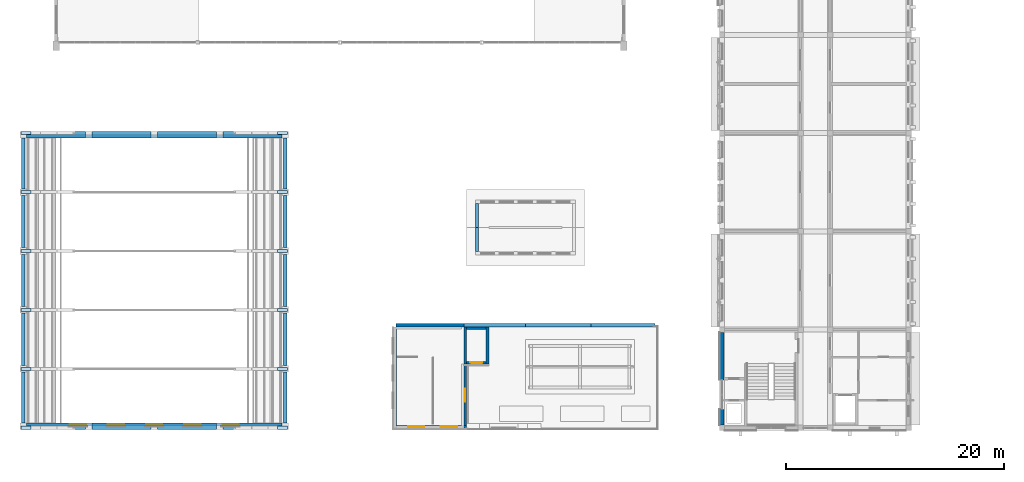
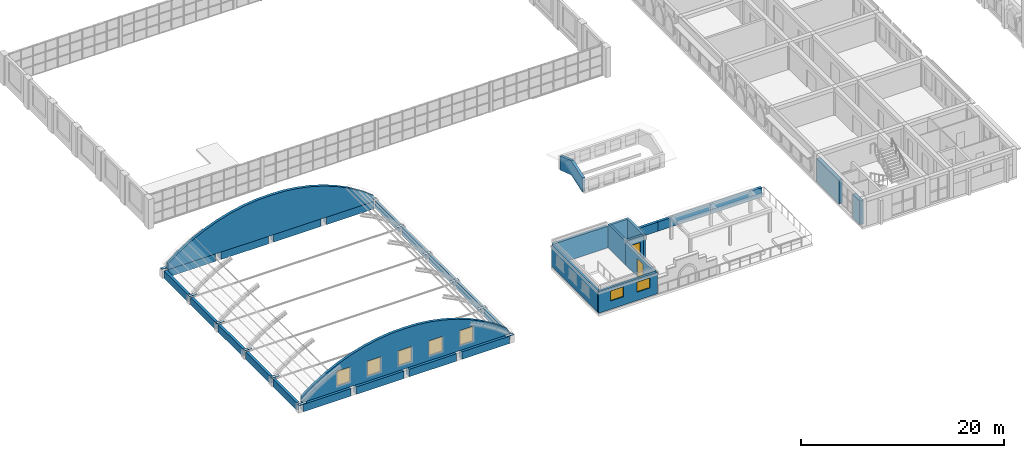
# One storey, part 33 of 70: 34 walls, 12 plates, 7 windows, 2 doors, 9 openings.
"""IFC4 building model written with IfcOpenShell, lengths in metres."""

from ifc_helpers import new_model, si_unit, direction, frame, frame_2d, origin, origin_2d, place, context, subcontext, project, spatial, polyline, rectangle, outline, extrude, material, layer, layer_set, material_profile, profile_set, type_object, element, fill, save


model = new_model("IFC4")

# Units and contexts
model_context = context("Model", 3, precision=1e-05, world=origin(), true_north=direction((0.0, 1.0)))
body_context = subcontext(model_context, "Body", "Model", "MODEL_VIEW")
ifc_project = project(units=[si_unit("LENGTHUNIT", "METRE"), si_unit("AREAUNIT", "SQUARE_METRE"), si_unit("VOLUMEUNIT", "CUBIC_METRE"), si_unit("PLANEANGLEUNIT", "RADIAN"), si_unit("MASSUNIT", "GRAM", prefix="KILO")], contexts=[model_context])

# Site, building, storey
site_placement = place(None, origin())
site = spatial("IfcSite", under=ifc_project, at=site_placement, CompositionType="ELEMENT")
building_placement = place(site_placement, origin())
building = spatial("IfcBuilding", under=site, at=building_placement, Name="Elbe Cascade School", CompositionType="ELEMENT")
storey_placement = place(building_placement, frame((0.0, 0.0, 8.10009765625)))
storey = spatial("IfcBuildingStorey", under=building, at=storey_placement, Name="L02", CompositionType="ELEMENT", Elevation=8.10009765625)

# Plates
ifc_material_1 = material(Name="Steel S355J2", Category="steel")
ifc_layer_1 = layer(ifc_material_1, 0.0400390625)
ifc_layer_set_1 = layer_set([ifc_layer_1], Name="Steel S355J2")
plate_type = type_object("IfcPlateType", Name="Assembly hall bearing plate 900x300x40", PredefinedType="USERDEFINED", material=ifc_layer_set_1)
for number, where, z_axis, x_axis, name in (
    (1, (5.25, 6.0, 0.89990234375), (0.0, 0.0, 1.0), (1.0, 0.0, 0.0), "Assembly hall bearing plate 900x300x40 PT2"),
    (2, (28.75, 6.0, 0.89990234375), (0.0, 0.0, 1.0), (1.0, 0.0, 0.0), "Assembly hall bearing plate 900x300x40 PT2"),
    (3, (5.25, 11.39990234375, 0.89990234375), (0.0, 0.0, 1.0), (1.0, 0.0, 0.0), "Assembly hall bearing plate 900x300x40 PT2"),
    (4, (28.75, 11.39990234375, 0.89990234375), (0.0, 0.0, 1.0), (1.0, 0.0, 0.0), "Assembly hall bearing plate 900x300x40 PT2"),
    (5, (5.25, 16.800048828125, 0.89990234375), (0.0, 0.0, 1.0), (1.0, 0.0, 0.0), "Assembly hall bearing plate 900x300x40 PT2"),
    (6, (28.75, 16.800048828125, 0.89990234375), (0.0, 0.0, 1.0), (1.0, 0.0, 0.0), "Assembly hall bearing plate 900x300x40 PT2"),
    (7, (5.25, 22.199951171875, 0.89990234375), (0.0, 0.0, 1.0), (1.0, 0.0, 0.0), "Assembly hall bearing plate 900x300x40 PT2"),
    (8, (28.75, 22.199951171875, 0.89990234375), (0.0, 0.0, 1.0), (1.0, 0.0, 0.0), "Assembly hall bearing plate 900x300x40 PT2"),
    (9, (5.25, 27.60009765625, 0.89990234375), (0.0, 0.0, 1.0), (1.0, 0.0, 0.0), "Assembly hall bearing plate 900x300x40 PT2"),
    (10, (28.75, 27.60009765625, 0.89990234375), (0.0, 0.0, 1.0), (1.0, 0.0, 0.0), "Assembly hall bearing plate 900x300x40 PT2"),
    (11, (5.25, 33.0, 0.89990234375), (0.0, 0.0, 1.0), (1.0, 0.0, 0.0), "Assembly hall bearing plate 900x300x40 PT2"),
    (12, (28.75, 33.0, 0.89990234375), (0.0, 0.0, 1.0), (1.0, 0.0, 0.0), "Assembly hall bearing plate 900x300x40 PT2"),
):
    element("IfcPlate", number, at=place(storey_placement, frame(where, z_axis=z_axis, x_axis=x_axis)), inside=storey, type_object=plate_type, Name=name, ObjectType="BEARING PLATE", PredefinedType="USERDEFINED", context=body_context, shape_type="SweptSolid", body=[
        extrude(rectangle(XDim=0.89990234375, YDim=0.300048828125, at=origin_2d()), origin(), (0.0, 0.0, 1.0), 0.0400390625),
    ])

# Walls
ifc_material_2 = material(Name="Concrete C30/37", Category="concrete")
ifc_layer_2 = layer(ifc_material_2, 0.300048828125)
ifc_layer_set_2 = layer_set([ifc_layer_2], Name="Concrete C30/37")
wall_type_1 = type_object("IfcWallType", Name="Assembly hall RC wall 300", PredefinedType="SOLIDWALL", material=ifc_layer_set_2)
wall_1_placement = place(storey_placement, frame((5.0, 6.449951171875, 0.0), z_axis=(0.0, 0.0, 1.0), x_axis=(0.0, 1.0, 0.0)))
element("IfcWall", 13, at=wall_1_placement, inside=storey, type_object=wall_type_1, Name="Assembly hall RC wall 300 W5", PredefinedType="SOLIDWALL", context=body_context, shape_type="SweptSolid", body=[
    extrude(rectangle(XDim=4.650146484375, YDim=0.300048828125, at=frame_2d((2.3251953125, 0.0))), origin(), (0.0, 0.0, 1.0), 0.89990234375),
])
wall_2_placement = place(storey_placement, frame((5.0, 11.699951171875, 0.0), z_axis=(0.0, 0.0, 1.0), x_axis=(0.0, 1.0, 0.0)))
element("IfcWall", 14, at=wall_2_placement, inside=storey, type_object=wall_type_1, Name="Assembly hall RC wall 300 W5", PredefinedType="SOLIDWALL", context=body_context, shape_type="SweptSolid", body=[
    extrude(rectangle(XDim=4.800048828125, YDim=0.300048828125, at=frame_2d((2.39990234375, 0.0))), origin(), (0.0, 0.0, 1.0), 0.89990234375),
])
wall_3_placement = place(storey_placement, frame((5.0, 17.10009765625, 0.0), z_axis=(0.0, 0.0, 1.0), x_axis=(0.0, 1.0, 0.0)))
element("IfcWall", 15, at=wall_3_placement, inside=storey, type_object=wall_type_1, Name="Assembly hall RC wall 300 W5", PredefinedType="SOLIDWALL", context=body_context, shape_type="SweptSolid", body=[
    extrude(rectangle(XDim=4.7998046875, YDim=0.300048828125, at=frame_2d((2.39990234375, 0.0))), origin(), (0.0, 0.0, 1.0), 0.89990234375),
])
wall_4_placement = place(storey_placement, frame((5.0, 22.5, 0.0), z_axis=(0.0, 0.0, 1.0), x_axis=(0.0, 1.0, 0.0)))
element("IfcWall", 16, at=wall_4_placement, inside=storey, type_object=wall_type_1, Name="Assembly hall RC wall 300 W5", PredefinedType="SOLIDWALL", context=body_context, shape_type="SweptSolid", body=[
    extrude(rectangle(XDim=4.800048828125, YDim=0.300048828125, at=frame_2d((2.39990234375, 0.0))), origin(), (0.0, 0.0, 1.0), 0.89990234375),
])
for number, where, z_axis, x_axis, name in (
    (17, (5.0, 27.89990234375, 0.0), (0.0, 0.0, 1.0), (0.0, 1.0, 0.0), "Assembly hall RC wall 300 W5"),
    (18, (29.0, 11.10009765625, 0.0), (0.0, 0.0, 1.0), (0.0, -1.0, 0.0), "Assembly hall RC wall 300 W5"),
):
    element("IfcWall", number, at=place(storey_placement, frame(where, z_axis=z_axis, x_axis=x_axis)), inside=storey, type_object=wall_type_1, Name=name, PredefinedType="SOLIDWALL", context=body_context, shape_type="SweptSolid", body=[
        extrude(rectangle(XDim=4.650146484375, YDim=0.300048828125, at=frame_2d((2.3251953125, 0.0))), origin(), (0.0, 0.0, 1.0), 0.89990234375),
    ])
wall_5_placement = place(storey_placement, frame((29.0, 16.5, 0.0), z_axis=(0.0, 0.0, 1.0), x_axis=(0.0, -1.0, 0.0)))
element("IfcWall", 19, at=wall_5_placement, inside=storey, type_object=wall_type_1, Name="Assembly hall RC wall 300 W5", PredefinedType="SOLIDWALL", context=body_context, shape_type="SweptSolid", body=[
    extrude(rectangle(XDim=4.800048828125, YDim=0.300048828125, at=frame_2d((2.39990234375, 0.0))), origin(), (0.0, 0.0, 1.0), 0.89990234375),
])
wall_6_placement = place(storey_placement, frame((29.0, 21.89990234375, 0.0), z_axis=(0.0, 0.0, 1.0), x_axis=(0.0, -1.0, 0.0)))
element("IfcWall", 20, at=wall_6_placement, inside=storey, type_object=wall_type_1, Name="Assembly hall RC wall 300 W5", PredefinedType="SOLIDWALL", context=body_context, shape_type="SweptSolid", body=[
    extrude(rectangle(XDim=4.7998046875, YDim=0.300048828125, at=frame_2d((2.39990234375, 0.0))), origin(), (0.0, 0.0, 1.0), 0.89990234375),
])
wall_7_placement = place(storey_placement, frame((29.0, 27.300048828125, 0.0), z_axis=(0.0, 0.0, 1.0), x_axis=(0.0, -1.0, 0.0)))
element("IfcWall", 21, at=wall_7_placement, inside=storey, type_object=wall_type_1, Name="Assembly hall RC wall 300 W5", PredefinedType="SOLIDWALL", context=body_context, shape_type="SweptSolid", body=[
    extrude(rectangle(XDim=4.800048828125, YDim=0.300048828125, at=frame_2d((2.39990234375, 0.0))), origin(), (0.0, 0.0, 1.0), 0.89990234375),
])
wall_8_placement = place(storey_placement, frame((29.0, 32.550048828125, 0.0), z_axis=(0.0, 0.0, 1.0), x_axis=(0.0, -1.0, 0.0)))
element("IfcWall", 22, at=wall_8_placement, inside=storey, type_object=wall_type_1, Name="Assembly hall RC wall 300 W5", PredefinedType="SOLIDWALL", context=body_context, shape_type="SweptSolid", body=[
    extrude(rectangle(XDim=4.650146484375, YDim=0.300048828125, at=frame_2d((2.3251953125, 0.0))), origin(), (0.0, 0.0, 1.0), 0.89990234375),
])

# Wall, openings, windows
ifc_material_3 = material(Name="Brick masonry - red clinker", Category="masonry")
ifc_layer_3 = layer(ifc_material_3, 0.300048828125)
ifc_layer_set_3 = layer_set([ifc_layer_3], Name="Brick masonry - red clinker")
wall_type_2 = type_object("IfcWallType", Name="Assembly hall brick tympanum 300", PredefinedType="SOLIDWALL", material=ifc_layer_set_3)
wall_9_placement = place(storey_placement, frame((28.699951171875, 6.300048828125, 0.89990234375), z_axis=(0.0, 0.0, 1.0), x_axis=(-1.0, 0.0, 0.0)))
wall_9 = element("IfcWall", 23, at=wall_9_placement, inside=storey, type_object=wall_type_2, Name="Assembly hall brick tympanum 300 W7", PredefinedType="SOLIDWALL", context=body_context, shape_type="SweptSolid", body=[
    extrude(outline(polyline([(0.0, 0.0), (23.39990234375, 0.0), (23.39990234375, 0.6904296875), (22.195068359375, 1.606689453125), (20.695556640625, 2.530517578125), (19.1962890625, 3.272705078125), (17.697021484375, 3.85693359375), (16.19775390625, 4.29833984375), (14.698486328125, 4.60693359375), (13.1962890625, 4.7900390625), (11.699951171875, 4.8251953125), (10.20361328125, 4.7900390625), (8.701416015625, 4.60693359375), (7.202392578125, 4.29833984375), (5.702880859375, 3.85693359375), (4.20361328125, 3.272705078125), (2.704345703125, 2.530517578125), (1.205078125, 1.606689453125), (0.0, 0.6904296875), (0.0, 0.0)])), frame((0.0, 0.14990234375, 0.0), z_axis=(0.0, -1.0, 0.0), x_axis=(1.0, 0.0, 0.0)), (0.0, 0.0, 1.0), 0.300048828125),
])
opening_1_placement = place(wall_9_placement, frame((17.949951171875, 0.0, 0.60009765625)))
opening_1 = element("IfcOpeningElement", 24, at=opening_1_placement, cuts=wall_9, Name="Opening W2.135", PredefinedType="OPENING", context=body_context, shape_type="SweptSolid", body=[
    extrude(rectangle(XDim=1.5, YDim=1.800048828125, at=frame_2d((0.75, 0.89990234375))), frame((0.0, 0.159912109375, 0.0), z_axis=(0.0, -1.0, 0.0), x_axis=(1.0, 0.0, 0.0)), (0.0, 0.0, 1.0), 0.320068359375),
])
opening_2_placement = place(wall_9_placement, frame((14.449951171875, 0.0, 0.60009765625)))
opening_2 = element("IfcOpeningElement", 25, at=opening_2_placement, cuts=wall_9, Name="Opening W2.136", PredefinedType="OPENING", context=body_context, shape_type="SweptSolid", body=[
    extrude(rectangle(XDim=1.5, YDim=1.800048828125, at=frame_2d((0.75, 0.89990234375))), frame((0.0, 0.159912109375, 0.0), z_axis=(0.0, -1.0, 0.0), x_axis=(1.0, 0.0, 0.0)), (0.0, 0.0, 1.0), 0.320068359375),
])
opening_3_placement = place(wall_9_placement, frame((10.949951171875, 0.0, 0.60009765625)))
opening_3 = element("IfcOpeningElement", 26, at=opening_3_placement, cuts=wall_9, Name="Opening W2.137", PredefinedType="OPENING", context=body_context, shape_type="SweptSolid", body=[
    extrude(rectangle(XDim=1.5, YDim=1.800048828125, at=frame_2d((0.75, 0.89990234375))), frame((0.0, 0.159912109375, 0.0), z_axis=(0.0, -1.0, 0.0), x_axis=(1.0, 0.0, 0.0)), (0.0, 0.0, 1.0), 0.320068359375),
])
opening_4_placement = place(wall_9_placement, frame((7.449951171875, 0.0, 0.60009765625)))
opening_4 = element("IfcOpeningElement", 27, at=opening_4_placement, cuts=wall_9, Name="Opening W2.138", PredefinedType="OPENING", context=body_context, shape_type="SweptSolid", body=[
    extrude(rectangle(XDim=1.5, YDim=1.800048828125, at=frame_2d((0.75, 0.89990234375))), frame((0.0, 0.159912109375, 0.0), z_axis=(0.0, -1.0, 0.0), x_axis=(1.0, 0.0, 0.0)), (0.0, 0.0, 1.0), 0.320068359375),
])
opening_5_placement = place(wall_9_placement, frame((3.949951171875, 0.0, 0.60009765625)))
opening_5 = element("IfcOpeningElement", 28, at=opening_5_placement, cuts=wall_9, Name="Opening W2.139", PredefinedType="OPENING", context=body_context, shape_type="SweptSolid", body=[
    extrude(rectangle(XDim=1.5, YDim=1.800048828125, at=frame_2d((0.75, 0.89990234375))), frame((0.0, 0.159912109375, 0.0), z_axis=(0.0, -1.0, 0.0), x_axis=(1.0, 0.0, 0.0)), (0.0, 0.0, 1.0), 0.320068359375),
])
ifc_material_4 = material(Name="Aluminium - bronze anodised", Category="aluminium")
window_type_1 = type_object("IfcWindowType", Name="Assembly hall gable window 1500x1800 sill 600", PartitioningType="SINGLE_PANEL", PredefinedType="WINDOW", material=ifc_material_4)
window_1_placement = place(opening_1_placement, origin())
window_1 = element("IfcWindow", 29, at=window_1_placement, inside=storey, type_object=window_type_1, Name="Assembly hall gable window 1500x1800 sill 600 W2.135", OverallHeight=1.800048828125, OverallWidth=1.5, PartitioningType="SINGLE_PANEL", PredefinedType="WINDOW", context=body_context, shape_type="SweptSolid", body=[
    extrude(rectangle(XDim=1.5, YDim=1.800048828125, at=frame_2d((0.75, 0.89990234375))), frame((0.0, 0.030029296875, 0.0), z_axis=(0.0, -1.0, 0.0), x_axis=(1.0, 0.0, 0.0)), (0.0, 0.0, 1.0), 0.06005859375),
])
fill(opening_1, window_1)
window_2_placement = place(opening_2_placement, origin())
window_2 = element("IfcWindow", 30, at=window_2_placement, inside=storey, type_object=window_type_1, Name="Assembly hall gable window 1500x1800 sill 600 W2.136", OverallHeight=1.800048828125, OverallWidth=1.5, PartitioningType="SINGLE_PANEL", PredefinedType="WINDOW", context=body_context, shape_type="SweptSolid", body=[
    extrude(rectangle(XDim=1.5, YDim=1.800048828125, at=frame_2d((0.75, 0.89990234375))), frame((0.0, 0.030029296875, 0.0), z_axis=(0.0, -1.0, 0.0), x_axis=(1.0, 0.0, 0.0)), (0.0, 0.0, 1.0), 0.06005859375),
])
fill(opening_2, window_2)
window_3_placement = place(opening_3_placement, origin())
window_3 = element("IfcWindow", 31, at=window_3_placement, inside=storey, type_object=window_type_1, Name="Assembly hall gable window 1500x1800 sill 600 W2.137", OverallHeight=1.800048828125, OverallWidth=1.5, PartitioningType="SINGLE_PANEL", PredefinedType="WINDOW", context=body_context, shape_type="SweptSolid", body=[
    extrude(rectangle(XDim=1.5, YDim=1.800048828125, at=frame_2d((0.75, 0.89990234375))), frame((0.0, 0.030029296875, 0.0), z_axis=(0.0, -1.0, 0.0), x_axis=(1.0, 0.0, 0.0)), (0.0, 0.0, 1.0), 0.06005859375),
])
fill(opening_3, window_3)
window_4_placement = place(opening_4_placement, origin())
window_4 = element("IfcWindow", 32, at=window_4_placement, inside=storey, type_object=window_type_1, Name="Assembly hall gable window 1500x1800 sill 600 W2.138", OverallHeight=1.800048828125, OverallWidth=1.5, PartitioningType="SINGLE_PANEL", PredefinedType="WINDOW", context=body_context, shape_type="SweptSolid", body=[
    extrude(rectangle(XDim=1.5, YDim=1.800048828125, at=frame_2d((0.75, 0.89990234375))), frame((0.0, 0.030029296875, 0.0), z_axis=(0.0, -1.0, 0.0), x_axis=(1.0, 0.0, 0.0)), (0.0, 0.0, 1.0), 0.06005859375),
])
fill(opening_4, window_4)
window_5_placement = place(opening_5_placement, origin())
window_5 = element("IfcWindow", 33, at=window_5_placement, inside=storey, type_object=window_type_1, Name="Assembly hall gable window 1500x1800 sill 600 W2.139", OverallHeight=1.800048828125, OverallWidth=1.5, PartitioningType="SINGLE_PANEL", PredefinedType="WINDOW", context=body_context, shape_type="SweptSolid", body=[
    extrude(rectangle(XDim=1.5, YDim=1.800048828125, at=frame_2d((0.75, 0.89990234375))), frame((0.0, 0.030029296875, 0.0), z_axis=(0.0, -1.0, 0.0), x_axis=(1.0, 0.0, 0.0)), (0.0, 0.0, 1.0), 0.06005859375),
])
fill(opening_5, window_5)

# Walls
wall_10_placement = place(storey_placement, frame((5.300048828125, 32.699951171875, 0.89990234375), z_axis=(0.0, 0.0, 1.0), x_axis=(1.0, 0.0, 0.0)))
element("IfcWall", 34, at=wall_10_placement, inside=storey, type_object=wall_type_2, Name="Assembly hall brick tympanum 300 W7", PredefinedType="SOLIDWALL", context=body_context, shape_type="SweptSolid", body=[
    extrude(outline(polyline([(0.0, 0.0), (23.39990234375, 0.0), (23.39990234375, 0.6904296875), (22.195068359375, 1.606689453125), (20.69580078125, 2.530517578125), (19.1962890625, 3.272705078125), (17.697021484375, 3.85693359375), (16.19775390625, 4.29833984375), (14.698486328125, 4.60693359375), (13.1962890625, 4.7900390625), (11.699951171875, 4.8251953125), (10.20361328125, 4.7900390625), (8.701416015625, 4.60693359375), (7.202392578125, 4.29833984375), (5.702880859375, 3.85693359375), (4.20361328125, 3.272705078125), (2.704345703125, 2.530517578125), (1.205078125, 1.606689453125), (0.0, 0.6904296875), (0.0, 0.0)])), frame((0.0, 0.14990234375, 0.0), z_axis=(0.0, -1.0, 0.0), x_axis=(1.0, 0.0, 0.0)), (0.0, 0.0, 1.0), 0.300048828125),
])
ifc_material_5 = material(Name="Concrete C30/37", Category="concrete")
ifc_layer_4 = layer(ifc_material_5, 0.60009765625)
ifc_layer_set_4 = layer_set([ifc_layer_4], Name="Concrete C30/37")
wall_type_3 = type_object("IfcWallType", Name="Assembly hall gable wall 600", PredefinedType="SOLIDWALL", material=ifc_layer_set_4)
for number, where, z_axis, x_axis, name in (
    (35, (10.699951171875, 6.14990234375, 0.0), (0.0, 0.0, 1.0), (-1.0, 0.0, 0.0), "Assembly hall gable wall 600 W6"),
    (36, (16.699951171875, 6.14990234375, 0.0), (0.0, 0.0, 1.0), (-1.0, 0.0, 0.0), "Assembly hall gable wall 600 W6"),
    (37, (22.699951171875, 6.14990234375, 0.0), (0.0, 0.0, 1.0), (-1.0, 0.0, 0.0), "Assembly hall gable wall 600 W6"),
    (38, (28.699951171875, 6.14990234375, 0.0), (0.0, 0.0, 1.0), (-1.0, 0.0, 0.0), "Assembly hall gable wall 600 W6"),
    (39, (5.300048828125, 32.85009765625, 0.0), (0.0, 0.0, 1.0), (1.0, 0.0, 0.0), "Assembly hall gable wall 600 W6"),
    (40, (11.300048828125, 32.85009765625, 0.0), (0.0, 0.0, 1.0), (1.0, 0.0, 0.0), "Assembly hall gable wall 600 W6"),
    (41, (17.300048828125, 32.85009765625, 0.0), (0.0, 0.0, 1.0), (1.0, 0.0, 0.0), "Assembly hall gable wall 600 W6"),
    (42, (23.300048828125, 32.85009765625, 0.0), (0.0, 0.0, 1.0), (1.0, 0.0, 0.0), "Assembly hall gable wall 600 W6"),
):
    element("IfcWall", number, at=place(storey_placement, frame(where, z_axis=z_axis, x_axis=x_axis)), inside=storey, type_object=wall_type_3, Name=name, PredefinedType="SOLIDWALL", context=body_context, shape_type="SweptSolid", body=[
        extrude(rectangle(XDim=5.39990234375, YDim=0.60009765625, at=frame_2d((2.699951171875, 0.0))), origin(), (0.0, 0.0, 1.0), 0.89990234375),
    ])
ifc_material_6 = material(Name="Brick masonry - red clinker, solid, sandstone-faced", Category="masonry")
ifc_layer_5 = layer(ifc_material_6, 0.39990234375)
ifc_layer_set_5 = layer_set([ifc_layer_5], Name="Brick masonry - red clinker, solid, sandstone-faced")
wall_type_4 = type_object("IfcWallType", Name="Bars envelope External wall - solid masonry core strip, sandstone faced, 400", PredefinedType="STANDARD", material=ifc_layer_set_5)
wall_11_placement = place(storey_placement, frame((68.97998046875, 6.25, 0.0), z_axis=(0.0, 0.0, 1.0), x_axis=(0.0, 1.0, 0.0)))
element("IfcWall", 43, at=wall_11_placement, inside=storey, type_object=wall_type_4, Name="External wall W31 A.L02.w1a", PredefinedType="STANDARD", context=body_context, shape_type="SweptSolid", body=[
    extrude(rectangle(XDim=1.43994140625, YDim=0.39990234375, at=frame_2d((0.719970703125, 0.0))), origin(), (0.0, 0.0, 1.0), 2.849853515625),
])
wall_12_placement = place(storey_placement, frame((68.97998046875, 10.389892578125, 0.0), z_axis=(0.0, 0.0, 1.0), x_axis=(0.0, 1.0, 0.0)))
element("IfcWall", 44, at=wall_12_placement, inside=storey, type_object=wall_type_4, Name="External wall W31 A.L02.w1b", PredefinedType="STANDARD", context=body_context, shape_type="SweptSolid", body=[
    extrude(rectangle(XDim=4.360107421875, YDim=0.39990234375, at=frame_2d((2.18017578125, 0.0))), origin(), (0.0, 0.0, 1.0), 2.849853515625),
])
ifc_material_7 = material(Name="Concrete C30/37", Category="concrete")
ifc_layer_6 = layer(ifc_material_7, 0.25)
ifc_layer_set_6 = layer_set([ifc_layer_6], Name="Concrete C30/37")
wall_type_5 = type_object("IfcWallType", Name="Cafe lift shaft wall 250", PredefinedType="SHEAR", material=ifc_layer_set_6)
for number, where, z_axis, x_axis, name in (
    (45, (45.47509765625, 11.85009765625, 0.0), (0.0, 0.0, 1.0), (0.0, 1.0, 0.0), "Cafe lift shaft wall 250 W13"),
    (46, (47.52490234375, 11.85009765625, 0.0), (0.0, 0.0, 1.0), (0.0, 1.0, 0.0), "Cafe lift shaft wall 250 W13"),
):
    element("IfcWall", number, at=place(storey_placement, frame(where, z_axis=z_axis, x_axis=x_axis)), inside=storey, type_object=wall_type_5, Name=name, PredefinedType="SHEAR", context=body_context, shape_type="SweptSolid", body=[
        extrude(rectangle(XDim=3.39990234375, YDim=0.25, at=frame_2d((1.699951171875, 0.0))), origin(), (0.0, 0.0, 1.0), 2.849853515625),
    ])

# Wall, opening, door
wall_13_placement = place(storey_placement, frame((45.60009765625, 11.97509765625, 0.0), z_axis=(0.0, 0.0, 1.0), x_axis=(1.0, 0.0, 0.0)))
wall_13 = element("IfcWall", 47, at=wall_13_placement, inside=storey, type_object=wall_type_5, Name="Cafe lift shaft wall 250 W13", PredefinedType="SHEAR", context=body_context, shape_type="SweptSolid", body=[
    extrude(rectangle(XDim=1.7998046875, YDim=0.25, at=frame_2d((0.89990234375, 0.0))), origin(), (0.0, 0.0, 1.0), 2.849853515625),
])
opening_6_placement = place(wall_13_placement, frame((0.35009765625, 0.0, 0.0)))
opening_6 = element("IfcOpeningElement", 48, at=opening_6_placement, cuts=wall_13, Name="Opening D2.085", PredefinedType="OPENING", context=body_context, shape_type="SweptSolid", body=[
    extrude(rectangle(XDim=1.10009765625, YDim=2.10009765625, at=frame_2d((0.550048828125, 1.050048828125))), frame((0.0, 0.135009765625, 0.0), z_axis=(0.0, -1.0, 0.0), x_axis=(1.0, 0.0, 0.0)), (0.0, 0.0, 1.0), 0.27001953125),
])
ifc_material_8 = material(Name="Steel - fire door leaf", Category="steel")
door_type_1 = type_object("IfcDoorType", Name="Cafe lift landing door 1100x2100 slide FD60", OperationType="SLIDING_TO_LEFT", PredefinedType="NOTDEFINED", material=ifc_material_8)
door_1_placement = place(opening_6_placement, origin())
door_1 = element("IfcDoor", 49, at=door_1_placement, inside=storey, type_object=door_type_1, Name="Cafe lift landing door 1100x2100 slide FD60 D2.085", OperationType="SLIDING_TO_LEFT", OverallHeight=2.10009765625, OverallWidth=1.10009765625, PredefinedType="NOTDEFINED", context=body_context, shape_type="SweptSolid", body=[
    extrude(rectangle(XDim=1.10009765625, YDim=2.10009765625, at=frame_2d((0.550048828125, 1.050048828125))), frame((0.0, 0.02490234375, 0.0), z_axis=(0.0, -1.0, 0.0), x_axis=(1.0, 0.0, 0.0)), (0.0, 0.0, 1.0), 0.050048828125),
])
fill(opening_6, door_1)

# Walls
wall_14_placement = place(storey_placement, frame((45.60009765625, 15.125, 0.0), z_axis=(0.0, 0.0, 1.0), x_axis=(1.0, 0.0, 0.0)))
element("IfcWall", 50, at=wall_14_placement, inside=storey, type_object=wall_type_5, Name="Cafe lift shaft wall 250 W13", PredefinedType="SHEAR", context=body_context, shape_type="SweptSolid", body=[
    extrude(rectangle(XDim=1.7998046875, YDim=0.25, at=frame_2d((0.89990234375, 0.0))), origin(), (0.0, 0.0, 1.0), 2.849853515625),
])
ifc_material_9 = material(Name="Concrete C30/37", Category="concrete")
ifc_layer_7 = layer(ifc_material_9, 0.300048828125)
ifc_layer_set_7 = layer_set([ifc_layer_7], Name="Concrete C30/37")
wall_type_6 = type_object("IfcWallType", Name="Dining hall RC wall 300 non-load-bearing", PredefinedType="SOLIDWALL", material=ifc_layer_set_7)
wall_15_placement = place(storey_placement, frame((45.35009765625, 15.39990234375, 0.0), z_axis=(0.0, 0.0, 1.0), x_axis=(-1.0, 0.0, 0.0)))
element("IfcWall", 51, at=wall_15_placement, inside=storey, type_object=wall_type_6, Name="Dining hall RC wall 300 non-load-bearing W42", PredefinedType="SOLIDWALL", context=body_context, shape_type="SweptSolid", body=[
    extrude(rectangle(XDim=6.2001953125, YDim=0.300048828125, at=frame_2d((3.10009765625, 0.0))), origin(), (0.0, 0.0, 1.0), 2.599853515625),
])
wall_16_placement = place(storey_placement, frame((51.0, 15.39990234375, 0.0), z_axis=(0.0, 0.0, 1.0), x_axis=(-1.0, 0.0, 0.0)))
element("IfcWall", 52, at=wall_16_placement, inside=storey, type_object=wall_type_6, Name="Dining hall RC wall 300 non-load-bearing W42", PredefinedType="SOLIDWALL", context=body_context, shape_type="SweptSolid", body=[
    extrude(rectangle(XDim=5.64990234375, YDim=0.300048828125, at=frame_2d((2.824951171875, 0.0))), origin(), (0.0, 0.0, 1.0), 1.099853515625),
])
wall_17_placement = place(storey_placement, frame((57.0, 15.39990234375, 0.0), z_axis=(0.0, 0.0, 1.0), x_axis=(-1.0, 0.0, 0.0)))
element("IfcWall", 53, at=wall_17_placement, inside=storey, type_object=wall_type_6, Name="Dining hall RC wall 300 non-load-bearing W42", PredefinedType="SOLIDWALL", context=body_context, shape_type="SweptSolid", body=[
    extrude(rectangle(XDim=6.0, YDim=0.300048828125, at=frame_2d((3.0, 0.0))), origin(), (0.0, 0.0, 1.0), 1.099853515625),
])
wall_18_placement = place(storey_placement, frame((62.85009765625, 15.39990234375, 0.0), z_axis=(0.0, 0.0, 1.0), x_axis=(-1.0, 0.0, 0.0)))
element("IfcWall", 54, at=wall_18_placement, inside=storey, type_object=wall_type_6, Name="Dining hall RC wall 300 non-load-bearing W42", PredefinedType="SOLIDWALL", context=body_context, shape_type="SweptSolid", body=[
    extrude(rectangle(XDim=5.85009765625, YDim=0.300048828125, at=frame_2d((2.925048828125, 0.0))), origin(), (0.0, 0.0, 1.0), 1.099853515625),
])
ifc_material_10 = material(Name="Brick masonry - red clinker", Category="masonry")
ifc_material_profile = material_profile(ifc_material_10, outline(polyline([(-2.199951171875, 10.21826171875), (0.0, 10.96826171875), (2.199951171875, 10.21826171875), (2.199951171875, 11.920654296875), (0.0, 12.670654296875), (-2.199951171875, 11.920654296875), (-2.199951171875, 10.21826171875)])), Name="Dining lantern gable face")
ifc_profile_set = profile_set([ifc_material_profile], Name="Brick masonry - red clinker")
wall_type_7 = type_object("IfcWallType", Name="Dining lantern end wall 300", PredefinedType="SOLIDWALL", material=ifc_profile_set)
wall_19_placement = place(storey_placement, frame((46.39990234375, 24.35009765625, -8.10009765625), z_axis=(1.0, 0.0, 0.0), x_axis=(0.0, 1.0, 0.0)))
element("IfcWall", 55, at=wall_19_placement, inside=storey, type_object=wall_type_7, Name="Dining clerestory gable", PredefinedType="SOLIDWALL", context=body_context, shape_type="SweptSolid", body=[
    extrude(outline(polyline([(-2.199951171875, 10.21826171875), (0.0, 10.96826171875), (2.199951171875, 10.21826171875), (2.199951171875, 11.920654296875), (0.0, 12.670654296875), (-2.199951171875, 11.920654296875), (-2.199951171875, 10.21826171875)])), origin(), (0.0, 0.0, 1.0), 0.300048828125),
])

# Wall, openings, windows
ifc_material_11 = material(Name="Concrete C30/37", Category="concrete")
ifc_layer_8 = layer(ifc_material_11, 0.25)
ifc_layer_set_8 = layer_set([ifc_layer_8], Name="Concrete C30/37")
wall_type_8 = type_object("IfcWallType", Name="Terrace head-house wall 250", PredefinedType="SOLIDWALL", material=ifc_layer_set_8)
wall_20_placement = place(storey_placement, frame((45.60009765625, 6.10009765625, 0.0), z_axis=(0.0, 0.0, 1.0), x_axis=(-1.0, 0.0, 0.0)))
wall_20 = element("IfcWall", 56, at=wall_20_placement, inside=storey, type_object=wall_type_8, Name="Terrace head-house wall 250 W12", PredefinedType="SOLIDWALL", context=body_context, shape_type="SweptSolid", body=[
    extrude(rectangle(XDim=6.675048828125, YDim=0.25, at=frame_2d((3.33740234375, 0.0))), origin(), (0.0, 0.0, 1.0), 2.599853515625),
])
opening_7_placement = place(wall_20_placement, frame((3.85009765625, 0.0, 1.0)))
opening_7 = element("IfcOpeningElement", 57, at=opening_7_placement, cuts=wall_20, Name="Opening W2.140", PredefinedType="OPENING", context=body_context, shape_type="SweptSolid", body=[
    extrude(rectangle(XDim=1.5, YDim=1.199951171875, at=frame_2d((0.75, 0.60009765625))), frame((0.0, 0.135009765625, 0.0), z_axis=(0.0, -1.0, 0.0), x_axis=(1.0, 0.0, 0.0)), (0.0, 0.0, 1.0), 0.27001953125),
])
opening_8_placement = place(wall_20_placement, frame((0.85009765625, 0.0, 1.0)))
opening_8 = element("IfcOpeningElement", 58, at=opening_8_placement, cuts=wall_20, Name="Opening W2.141", PredefinedType="OPENING", context=body_context, shape_type="SweptSolid", body=[
    extrude(rectangle(XDim=1.5, YDim=1.199951171875, at=frame_2d((0.75, 0.60009765625))), frame((0.0, 0.135009765625, 0.0), z_axis=(0.0, -1.0, 0.0), x_axis=(1.0, 0.0, 0.0)), (0.0, 0.0, 1.0), 0.27001953125),
])
ifc_material_12 = material(Name="Aluminium - bronze anodised", Category="aluminium")
window_type_2 = type_object("IfcWindowType", Name="Cafe head-house window 1500x1200 sill 1000", PartitioningType="SINGLE_PANEL", PredefinedType="WINDOW", material=ifc_material_12)
window_6_placement = place(opening_7_placement, origin())
window_6 = element("IfcWindow", 59, at=window_6_placement, inside=storey, type_object=window_type_2, Name="Cafe head-house window 1500x1200 sill 1000 W2.140", OverallHeight=1.199951171875, OverallWidth=1.5, PartitioningType="SINGLE_PANEL", PredefinedType="WINDOW", context=body_context, shape_type="SweptSolid", body=[
    extrude(rectangle(XDim=1.5, YDim=1.199951171875, at=frame_2d((0.75, 0.60009765625))), frame((0.0, 0.030029296875, 0.0), z_axis=(0.0, -1.0, 0.0), x_axis=(1.0, 0.0, 0.0)), (0.0, 0.0, 1.0), 0.06005859375),
])
fill(opening_7, window_6)
window_7_placement = place(opening_8_placement, origin())
window_7 = element("IfcWindow", 60, at=window_7_placement, inside=storey, type_object=window_type_2, Name="Cafe head-house window 1500x1200 sill 1000 W2.141", OverallHeight=1.199951171875, OverallWidth=1.5, PartitioningType="SINGLE_PANEL", PredefinedType="WINDOW", context=body_context, shape_type="SweptSolid", body=[
    extrude(rectangle(XDim=1.5, YDim=1.199951171875, at=frame_2d((0.75, 0.60009765625))), frame((0.0, 0.030029296875, 0.0), z_axis=(0.0, -1.0, 0.0), x_axis=(1.0, 0.0, 0.0)), (0.0, 0.0, 1.0), 0.06005859375),
])
fill(opening_8, window_7)

# Wall
wall_21_placement = place(storey_placement, frame((39.050048828125, 6.22509765625, 0.0), z_axis=(0.0, 0.0, 1.0), x_axis=(0.0, 1.0, 0.0)))
element("IfcWall", 61, at=wall_21_placement, inside=storey, type_object=wall_type_8, Name="Terrace head-house wall 250 W12", PredefinedType="SOLIDWALL", context=body_context, shape_type="SweptSolid", body=[
    extrude(rectangle(XDim=9.02490234375, YDim=0.25, at=frame_2d((4.512451171875, 0.0))), origin(), (0.0, 0.0, 1.0), 2.599853515625),
])

# Wall, opening, door
wall_22_placement = place(storey_placement, frame((45.47509765625, 11.85009765625, 0.0), z_axis=(0.0, 0.0, 1.0), x_axis=(0.0, -1.0, 0.0)))
wall_22 = element("IfcWall", 62, at=wall_22_placement, inside=storey, type_object=wall_type_8, Name="Terrace head-house wall 250 W12", PredefinedType="SOLIDWALL", context=body_context, shape_type="SweptSolid", body=[
    extrude(rectangle(XDim=5.625, YDim=0.25, at=frame_2d((2.8125, 0.0))), origin(), (0.0, 0.0, 1.0), 2.599853515625),
])
opening_9_placement = place(wall_22_placement, frame((2.25, 0.0, 0.0)))
opening_9 = element("IfcOpeningElement", 63, at=opening_9_placement, cuts=wall_22, Name="Opening D2.084", PredefinedType="OPENING", context=body_context, shape_type="SweptSolid", body=[
    extrude(rectangle(XDim=1.199951171875, YDim=2.199951171875, at=frame_2d((0.60009765625, 1.10009765625))), frame((0.0, 0.135009765625, 0.0), z_axis=(0.0, -1.0, 0.0), x_axis=(1.0, 0.0, 0.0)), (0.0, 0.0, 1.0), 0.27001953125),
])
ifc_material_13 = material(Name="Timber - oak door leaf", Category="wood")
door_type_2 = type_object("IfcDoorType", Name="Cafe terrace door 1200x2200 swing NOT RATED", OperationType="NOTDEFINED", PredefinedType="NOTDEFINED", material=ifc_material_13)
door_2_placement = place(opening_9_placement, origin())
door_2 = element("IfcDoor", 64, at=door_2_placement, inside=storey, type_object=door_type_2, Name="Cafe terrace door 1200x2200 swing NOT RATED D2.084", OperationType="SINGLE_SWING_RIGHT", OverallHeight=2.199951171875, OverallWidth=1.199951171875, PredefinedType="NOTDEFINED", context=body_context, shape_type="SweptSolid", body=[
    extrude(rectangle(XDim=1.199951171875, YDim=2.199951171875, at=frame_2d((0.60009765625, 1.10009765625))), frame((0.0, 0.02490234375, 0.0), z_axis=(0.0, -1.0, 0.0), x_axis=(1.0, 0.0, 0.0)), (0.0, 0.0, 1.0), 0.050048828125),
])
fill(opening_9, door_2)

save(model, "model.ifc")
